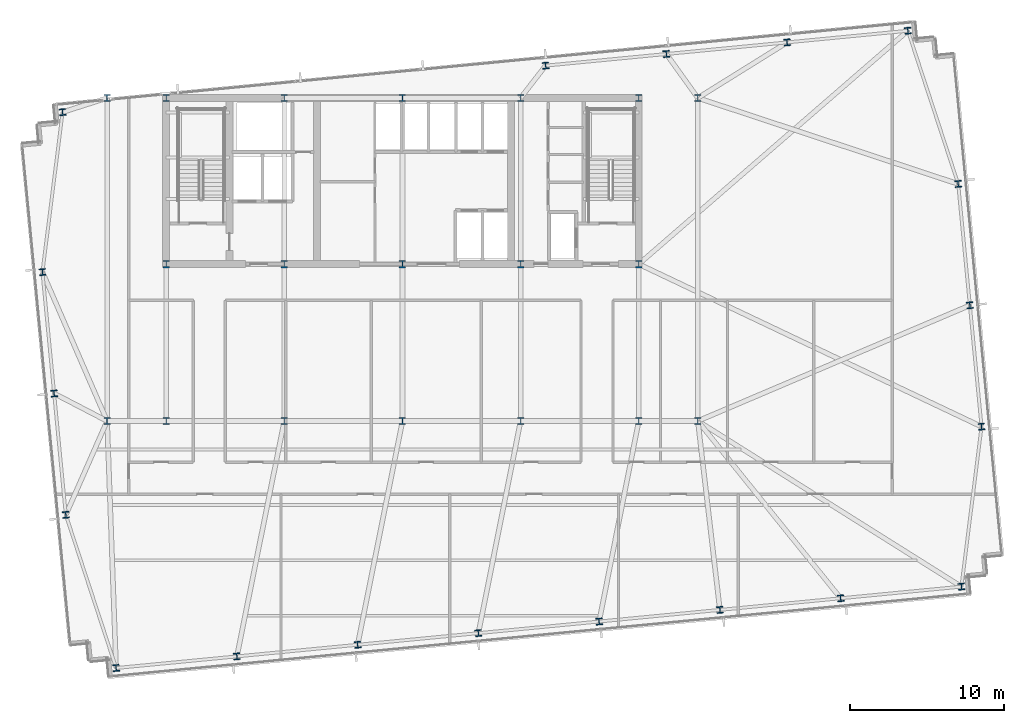
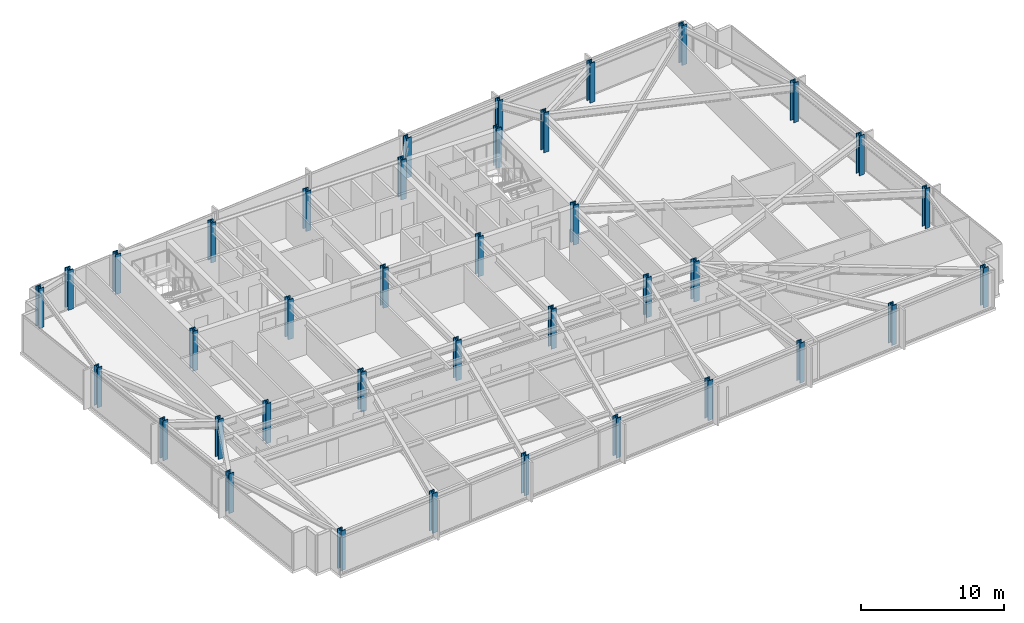
# One storey, part 1 of 33: 38 columns.
"""IFC4 building model written with IfcOpenShell, lengths in metres."""

import ifcopenshell
import ifcopenshell.guid

model = None  # the IFC model being written
_history = None  # IfcOwnerHistory: only IFC2X3 demands one
_inside = {}  # id of a spatial element -> (the spatial element, [elements in it])
_under = {}  # id of a project, library or spatial element -> (it, [spatial elements below it])
_declared = {}  # id of a project -> (the project, [libraries it declares])
_typed = {}  # id of a type object -> (the type object, [elements of that type])
_made_of = {}  # id of a material, layer set ... -> (it, [elements and type objects made of it])


def new_model(schema):
    """Start an empty IFC model of exactly this schema.

    Asked for "IFC4X3", IfcOpenShell would pick the latest addendum, in which some entities
    have other attributes; the version numbers below select the first issue.
    IFC2X3 requires an IfcOwnerHistory on every rooted entity: one is made here for all.
    """
    global model, _history
    if schema == "IFC4X3":
        model = ifcopenshell.file(schema_version=(4, 3, 0, 0))
    else:
        model = ifcopenshell.file(schema=schema)
    _inside.clear()
    _under.clear()
    _declared.clear()
    _typed.clear()
    _made_of.clear()
    _history = None
    if model.schema == "IFC2X3":
        org = make("IfcOrganization", Name="unknown")
        user = make(
            "IfcPersonAndOrganization",
            ThePerson=make("IfcPerson", FamilyName="unknown"),
            TheOrganization=org,
        )
        app = make(
            "IfcApplication",
            ApplicationDeveloper=org,
            Version="unknown",
            ApplicationFullName="unknown",
            ApplicationIdentifier="unknown",
        )
        _history = make(
            "IfcOwnerHistory",
            OwningUser=user,
            OwningApplication=app,
            ChangeAction="ADDED",
            CreationDate=0,
        )
    return model


def make(cls, **values):
    """One entity of the class cls with the attributes given. An attribute that is None is left unset."""
    return model.create_entity(
        cls, **{name: value for name, value in values.items() if value is not None}
    )


def rooted(cls, **values):
    """An entity with a GlobalId (a new one), such as an element, a storey or a relation."""
    return make(cls, GlobalId=ifcopenshell.guid.new(), OwnerHistory=_history, **values)


def si_unit(unit_type, name, prefix=None):
    """IfcSIUnit, for example si_unit("LENGTHUNIT", "METRE", prefix="MILLI")."""
    return make("IfcSIUnit", UnitType=unit_type, Prefix=prefix, Name=name)


def assignment(units):
    """IfcUnitAssignment: the units of a project."""
    return None if units is None else make("IfcUnitAssignment", Units=units)


def point(xyz):
    """IfcCartesianPoint."""
    return None if xyz is None else make("IfcCartesianPoint", Coordinates=xyz)


def direction(xyz):
    """IfcDirection."""
    return None if xyz is None else make("IfcDirection", DirectionRatios=xyz)


def frame(location, z_axis=None, x_axis=None):
    """IfcAxis2Placement3D, a coordinate frame: its origin and axes. An axis left out is left unset."""
    return make(
        "IfcAxis2Placement3D",
        Location=point(location),
        Axis=direction(z_axis),
        RefDirection=direction(x_axis),
    )


def frame_2d(location, x_axis=None):
    """IfcAxis2Placement2D, a coordinate frame in the plane: its origin and x axis."""
    return make(
        "IfcAxis2Placement2D", Location=point(location), RefDirection=direction(x_axis)
    )


def origin():
    """The frame at (0, 0, 0) with its axes left unset."""
    return frame((0.0, 0.0, 0.0))


def origin_2d():
    """The frame at (0, 0) in the plane with its x axis left unset."""
    return frame_2d((0.0, 0.0))


def place(relative_to, where):
    """IfcLocalPlacement: puts the frame where relative to a parent placement (None: the world)."""
    return make(
        "IfcLocalPlacement", PlacementRelTo=relative_to, RelativePlacement=where
    )


def context(
    kind, dimensions, precision=None, world=None, true_north=None, identifier=None
):
    """IfcGeometricRepresentationContext, for example the 3D "Model" context."""
    return make(
        "IfcGeometricRepresentationContext",
        ContextIdentifier=identifier,
        ContextType=kind,
        CoordinateSpaceDimension=dimensions,
        Precision=precision,
        WorldCoordinateSystem=world,
        TrueNorth=true_north,
    )


def subcontext(parent, identifier, kind, view, scale=None):
    """IfcGeometricRepresentationSubContext, for example "Body" below "Model"."""
    return make(
        "IfcGeometricRepresentationSubContext",
        ContextIdentifier=identifier,
        ContextType=kind,
        ParentContext=parent,
        TargetScale=scale,
        TargetView=view,
    )


def project(units=None, contexts=None):
    """IfcProject with its units and contexts."""
    return rooted(
        "IfcProject",
        Name="project",
        RepresentationContexts=contexts,
        UnitsInContext=assignment(units),
    )


def spatial(cls, under=None, at=None, **own):
    """A site, building, storey or space (cls), placed at a placement, below another one or the project."""
    s = rooted(cls, ObjectPlacement=at, **own)
    if under is not None:
        _under.setdefault(under.id(), (under, []))[1].append(s)
    return s


def profile(cls, at=None, kind="AREA", **sizes):
    """A parametric profile (cls). Its sizes go by their IFC names, for example OverallWidth=200.0."""
    return make(cls, ProfileType=kind, Position=at, **sizes)


def i_section(**sizes):
    """IfcIShapeProfileDef."""
    return profile("IfcIShapeProfileDef", **sizes)


def extrude(swept, where, along, depth):
    """IfcExtrudedAreaSolid: the profile swept, set in the frame where, extruded along a direction by depth."""
    return make(
        "IfcExtrudedAreaSolid",
        SweptArea=swept,
        Position=where,
        ExtrudedDirection=direction(along),
        Depth=depth,
    )


def shape(context_of_items, identifier, shape_type, items):
    """IfcShapeRepresentation: the items that make up one representation, for example the "Body"."""
    return make(
        "IfcShapeRepresentation",
        ContextOfItems=context_of_items,
        RepresentationIdentifier=identifier,
        RepresentationType=shape_type,
        Items=items,
    )


def material(Name=None, Category=None):
    """IfcMaterial."""
    return make("IfcMaterial", Name=Name, Category=Category)


def material_profile(
    of_material, cross_section, Name=None, Category=None, Priority=None
):
    """IfcMaterialProfile: a cross section and its material."""
    return make(
        "IfcMaterialProfile",
        Name=Name,
        Material=of_material,
        Profile=cross_section,
        Priority=Priority,
        Category=Category,
    )


def profile_set(profiles, Name=None, composite=None):
    """IfcMaterialProfileSet."""
    return make(
        "IfcMaterialProfileSet",
        Name=Name,
        MaterialProfiles=profiles,
        CompositeProfile=composite,
    )


def made_of(thing, what):
    """Note that an element or type object is made of a material, layer set ...; save() writes the relation."""
    if what is not None:
        _made_of.setdefault(what.id(), (what, []))[1].append(thing)
    return thing


def type_object(cls, material=None, **own):
    """A type object (cls), such as IfcWallType, which elements share."""
    return made_of(rooted(cls, **own), material)


def element(
    cls,
    number,
    at=None,
    inside=None,
    cuts=None,
    type_object=None,
    material=None,
    context=None,
    identifier="Body",
    shape_type=None,
    held_by="IfcProductDefinitionShape",
    body=None,
    shapes=None,
    **own,
):
    """One element of the class cls, such as IfcWall. Its Tag is "e" and its number.

    at: its placement. inside: the storey or other place that contains it. cuts: it is an
    opening in that element (IfcRelVoidsElement). A single representation is given by context,
    identifier, shape_type and body (its items); several are given by shapes. held_by: the class
    of the entity that holds the representations. save() writes the other relations.
    """
    e = rooted(cls, Tag="e%d" % number, ObjectPlacement=at, **own)
    if body is not None:
        shapes = [shape(context, identifier, shape_type, body)]
    if shapes is not None:
        e.Representation = make(held_by, Representations=shapes)
    if inside is not None:
        _inside.setdefault(inside.id(), (inside, []))[1].append(e)
    if cuts is not None:
        rooted(
            "IfcRelVoidsElement", RelatingBuildingElement=cuts, RelatedOpeningElement=e
        )
    if type_object is not None:
        _typed.setdefault(type_object.id(), (type_object, []))[1].append(e)
    return made_of(e, material)


def aggregate(whole, parts):
    """IfcRelAggregates: a whole, such as a stair, and the parts it consists of."""
    return rooted("IfcRelAggregates", RelatingObject=whole, RelatedObjects=parts)


def save(model, path):
    """Write the relations noted so far, then the file.

    IfcRelAggregates (storeys below a building ...), IfcRelContainedInSpatialStructure (elements
    in a storey), IfcRelDefinesByType, IfcRelAssociatesMaterial and IfcRelDeclares: one each for
    every whole, place, type object, material and project.
    """
    for whole, parts in _under.values():
        aggregate(whole, parts)
    for where, things in _inside.values():
        rooted(
            "IfcRelContainedInSpatialStructure",
            RelatedElements=things,
            RelatingStructure=where,
        )
    for kind, things in _typed.values():
        rooted("IfcRelDefinesByType", RelatedObjects=things, RelatingType=kind)
    for what, things in _made_of.values():
        rooted("IfcRelAssociatesMaterial", RelatedObjects=things, RelatingMaterial=what)
    for by, libraries in _declared.values():
        rooted("IfcRelDeclares", RelatingContext=by, RelatedDefinitions=libraries)
    model.write(path)


model = new_model("IFC4")

# Units and contexts
model_context = context("Model", 3, precision=1e-05, world=origin(), true_north=direction((0.0, 1.0)))
body_context = subcontext(model_context, "Body", "Model", "MODEL_VIEW")
ifc_project = project(units=[si_unit("LENGTHUNIT", "METRE"), si_unit("AREAUNIT", "SQUARE_METRE"), si_unit("VOLUMEUNIT", "CUBIC_METRE"), si_unit("PLANEANGLEUNIT", "RADIAN"), si_unit("MASSUNIT", "GRAM", prefix="KILO")], contexts=[model_context])

# Site, building, storey
site_placement = place(None, origin())
site = spatial("IfcSite", under=ifc_project, at=site_placement, CompositionType="ELEMENT")
building_placement = place(site_placement, origin())
building = spatial("IfcBuilding", under=site, at=building_placement, Name="Yelkora Congress Tower", CompositionType="ELEMENT")
storey_placement = place(building_placement, frame((0.0, 0.0, 127.10009765625)))
storey = spatial("IfcBuildingStorey", under=building, at=storey_placement, Name="L34", CompositionType="ELEMENT", Elevation=127.10009765625)

# Columns
ifc_material = material(Name="Steel S460M", Category="steel")
ifc_material_profile_1 = material_profile(ifc_material, i_section(OverallWidth=0.412109375, OverallDepth=0.43505859375, WebThickness=0.035888671875, FlangeThickness=0.05810546875, FilletRadius=0.014892578125, at=origin_2d()), Name="HD 400x463")
ifc_profile_set_1 = profile_set([ifc_material_profile_1], Name="Steel S460M")
column_type_1 = type_object("IfcColumnType", Name="COL-HD-463-EXT", PredefinedType="COLUMN", material=ifc_profile_set_1)
for number, where, z_axis, x_axis, name in (
    (1, (19.785888671875, 9.144287109375, 0.0), (0.0, 0.0, 1.0), (0.995396198367, 0.09584575252, 0.0), "L34 Perimeter Column S01"),
    (2, (27.635498046875, 9.900146484375, 0.0), (0.0, 0.0, 1.0), (0.995396198367, 0.09584575252, 0.0), "L34 Perimeter Column S02"),
    (3, (35.48486328125, 10.656005859375, 0.0), (0.0, 0.0, 1.0), (0.995396198367, 0.09584575252, 0.0), "L34 Perimeter Column S03"),
    (4, (43.334228515625, 11.411865234375, 0.0), (0.0, 0.0, 1.0), (0.995396198367, 0.09584575252, 0.0), "L34 Perimeter Column S04"),
    (5, (51.18359375, 12.16748046875, 0.0), (0.0, 0.0, 1.0), (0.995396198367, 0.09584575252, 0.0), "L34 Perimeter Column S05"),
    (6, (59.033203125, 12.92333984375, 0.0), (0.0, 0.0, 1.0), (0.995396198367, 0.09584575252, 0.0), "L34 Perimeter Column S06"),
    (7, (66.882568359375, 13.67919921875, 0.0), (0.0, 0.0, 1.0), (0.995396198367, 0.09584575252, 0.0), "L34 Perimeter Column S07"),
    (8, (74.73193359375, 14.43505859375, 0.0), (0.0, 0.0, 1.0), (0.995396198367, 0.09584575252, 0.0), "L34 Perimeter Column S08"),
    (9, (16.306884765625, 45.27734375, 0.0), (0.0, 0.0, 1.0), (0.995396198367, 0.09584575252, 0.0), "L34 Perimeter Column N01"),
    (10, (47.70458984375, 48.300537109375, 0.0), (0.0, 0.0, 1.0), (0.995396198367, 0.09584575252, 0.0), "L34 Perimeter Column N05"),
    (11, (55.553955078125, 49.056396484375, 0.0), (0.0, 0.0, 1.0), (0.995396198367, 0.09584575252, 0.0), "L34 Perimeter Column N06"),
    (12, (63.4033203125, 49.81201171875, 0.0), (0.0, 0.0, 1.0), (0.995396198367, 0.09584575252, 0.0), "L34 Perimeter Column N07"),
    (13, (71.252685546875, 50.568115234375, 0.0), (0.0, 0.0, 1.0), (0.995396198367, 0.09584575252, 0.0), "L34 Perimeter Column N08"),
    (14, (16.5166015625, 19.101806640625, 0.0), (0.0, 0.0, 1.0), (0.995396198367, 0.09584575252, 0.0), "L34 Perimeter Column W01"),
    (15, (76.041259765625, 24.83349609375, 0.0), (0.0, 0.0, 1.0), (0.995396198367, 0.09584575252, 0.0), "L34 Perimeter Column E01"),
    (16, (15.757080078125, 26.990478515625, 0.0), (0.0, 0.0, 1.0), (0.995396198367, 0.09584575252, 0.0), "L34 Perimeter Column W02"),
    (17, (75.28173828125, 32.721923828125, 0.0), (0.0, 0.0, 1.0), (0.995396198367, 0.09584575252, 0.0), "L34 Perimeter Column E02"),
    (18, (14.997314453125, 34.87890625, 0.0), (0.0, 0.0, 1.0), (0.995396198367, 0.09584575252, 0.0), "L34 Perimeter Column W03"),
    (19, (74.522216796875, 40.610595703125, 0.0), (0.0, 0.0, 1.0), (0.995396198367, 0.09584575252, 0.0), "L34 Perimeter Column E03"),
):
    element("IfcColumn", number, at=place(storey_placement, frame(where, z_axis=z_axis, x_axis=x_axis)), inside=storey, type_object=column_type_1, Name=name, PredefinedType="COLUMN", context=body_context, shape_type="SweptSolid", body=[
        extrude(i_section(OverallWidth=0.412109375, OverallDepth=0.43505859375, WebThickness=0.035888671875, FlangeThickness=0.05810546875, FilletRadius=0.014892578125, at=origin_2d()), origin(), (0.0, 0.0, 1.0), 3.39990234375),
    ])
ifc_material_profile_2 = material_profile(ifc_material, i_section(OverallWidth=0.424072265625, OverallDepth=0.47412109375, WebThickness=0.047119140625, FlangeThickness=0.076904296875, FilletRadius=0.014892578125, at=origin_2d()), Name="HD 400x634")
ifc_profile_set_2 = profile_set([ifc_material_profile_2], Name="Steel S460M")
column_type_2 = type_object("IfcColumnType", Name="COL-HD-634", PredefinedType="COLUMN", material=ifc_profile_set_2)
for number, where, z_axis, x_axis, name in (
    (20, (23.0400390625, 35.39990234375, 0.0), (0.0, 0.0, 1.0), (1.0, 0.0, 0.0), "L34 Mega Column MC-S1"),
    (21, (23.0400390625, 46.199951171875, 0.0), (0.0, 0.0, 1.0), (1.0, 0.0, 0.0), "L34 Mega Column MC-N1"),
    (22, (23.0400390625, 25.199951171875, 0.0), (0.0, 0.0, 1.0), (1.0, 0.0, 0.0), "L34 Mega Column MC-D1"),
    (23, (30.719970703125, 35.39990234375, 0.0), (0.0, 0.0, 1.0), (1.0, 0.0, 0.0), "L34 Mega Column MC-S2"),
    (24, (30.719970703125, 46.199951171875, 0.0), (0.0, 0.0, 1.0), (1.0, 0.0, 0.0), "L34 Mega Column MC-N2"),
    (25, (30.719970703125, 25.199951171875, 0.0), (0.0, 0.0, 1.0), (1.0, 0.0, 0.0), "L34 Mega Column MC-D2"),
    (26, (38.39990234375, 35.39990234375, 0.0), (0.0, 0.0, 1.0), (1.0, 0.0, 0.0), "L34 Mega Column MC-S3"),
    (27, (38.39990234375, 46.199951171875, 0.0), (0.0, 0.0, 1.0), (1.0, 0.0, 0.0), "L34 Mega Column MC-N3"),
    (28, (38.39990234375, 25.199951171875, 0.0), (0.0, 0.0, 1.0), (1.0, 0.0, 0.0), "L34 Mega Column MC-D3"),
    (29, (46.080078125, 35.39990234375, 0.0), (0.0, 0.0, 1.0), (1.0, 0.0, 0.0), "L34 Mega Column MC-S4"),
    (30, (46.080078125, 46.199951171875, 0.0), (0.0, 0.0, 1.0), (1.0, 0.0, 0.0), "L34 Mega Column MC-N4"),
    (31, (46.080078125, 25.199951171875, 0.0), (0.0, 0.0, 1.0), (1.0, 0.0, 0.0), "L34 Mega Column MC-D4"),
    (32, (53.760009765625, 35.39990234375, 0.0), (0.0, 0.0, 1.0), (1.0, 0.0, 0.0), "L34 Mega Column MC-S5"),
    (33, (53.760009765625, 46.199951171875, 0.0), (0.0, 0.0, 1.0), (1.0, 0.0, 0.0), "L34 Mega Column MC-N5"),
    (34, (53.760009765625, 25.199951171875, 0.0), (0.0, 0.0, 1.0), (1.0, 0.0, 0.0), "L34 Mega Column MC-D5"),
    (35, (19.199951171875, 25.199951171875, 0.0), (0.0, 0.0, 1.0), (1.0, 0.0, 0.0), "L34 Mega Column MC-F1"),
    (36, (57.60009765625, 25.199951171875, 0.0), (0.0, 0.0, 1.0), (1.0, 0.0, 0.0), "L34 Mega Column MC-F2"),
    (37, (19.199951171875, 46.199951171875, 0.0), (0.0, 0.0, 1.0), (1.0, 0.0, 0.0), "L34 Mega Column MC-F3"),
    (38, (57.60009765625, 46.199951171875, 0.0), (0.0, 0.0, 1.0), (1.0, 0.0, 0.0), "L34 Mega Column MC-F4"),
):
    element("IfcColumn", number, at=place(storey_placement, frame(where, z_axis=z_axis, x_axis=x_axis)), inside=storey, type_object=column_type_2, Name=name, PredefinedType="COLUMN", context=body_context, shape_type="SweptSolid", body=[
        extrude(i_section(OverallWidth=0.424072265625, OverallDepth=0.47412109375, WebThickness=0.047119140625, FlangeThickness=0.076904296875, FilletRadius=0.014892578125, at=origin_2d()), origin(), (0.0, 0.0, 1.0), 3.39990234375),
    ])

save(model, "model.ifc")
